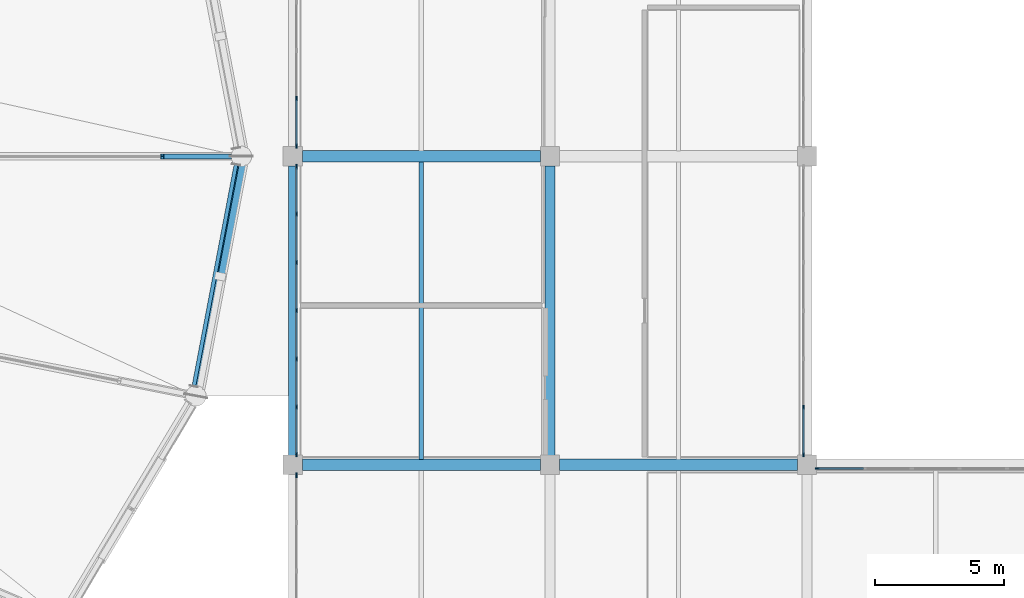
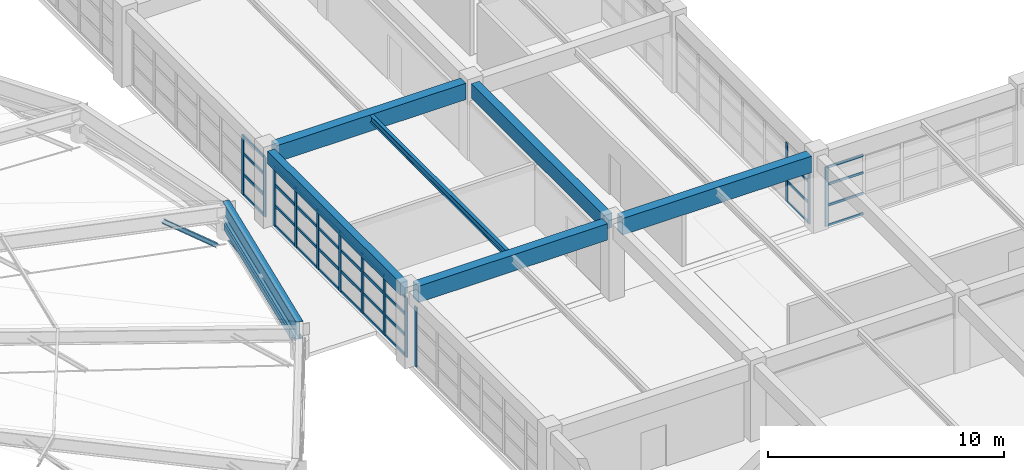
# One storey, part 28 of 83: 49 members, 9 beams, 5 elements without a shape of their own.
"""IFC4 building model written with IfcOpenShell, lengths in metres."""

from ifc_helpers import new_model, si_unit, direction, frame, origin, origin_2d, place, context, subcontext, project, spatial, rectangle, hollow_rectangle, i_section, extrude, material, layer, layer_set, material_profile, profile_set, type_object, element, aggregate, save


model = new_model("IFC4")

# Units and contexts
model_context = context("Model", 3, precision=1e-05, world=origin(), true_north=direction((0.0, 1.0)))
body_context = subcontext(model_context, "Body", "Model", "MODEL_VIEW")
ifc_project = project(units=[si_unit("LENGTHUNIT", "METRE"), si_unit("AREAUNIT", "SQUARE_METRE"), si_unit("VOLUMEUNIT", "CUBIC_METRE"), si_unit("PLANEANGLEUNIT", "RADIAN"), si_unit("MASSUNIT", "GRAM", prefix="KILO")], contexts=[model_context])

# Site, building, storey
site_placement = place(None, origin())
site = spatial("IfcSite", under=ifc_project, at=site_placement, CompositionType="ELEMENT")
building_placement = place(site_placement, origin())
building = spatial("IfcBuilding", under=site, at=building_placement, Name="Kivolera Central Railway Station", CompositionType="ELEMENT")
storey_placement = place(building_placement, frame((0.0, 0.0, 14.39990234375)))
storey = spatial("IfcBuildingStorey", under=building, at=storey_placement, Name="L03", CompositionType="ELEMENT", Elevation=14.39990234375)

# Beams
ifc_material_1 = material(Name="Steel S355", Category="steel")
ifc_material_profile_1 = material_profile(ifc_material_1, hollow_rectangle(XDim=0.14990234375, YDim=0.300048828125, WallThickness=0.012451171875, at=origin_2d()), Name="RHS 300x150x12.5")
ifc_profile_set_1 = profile_set([ifc_material_profile_1], Name="Steel S355")
beam_type_1 = type_object("IfcBeamType", Name="BM-ARCH-HOOD", PredefinedType="SPANDREL", material=ifc_profile_set_1)
beam_1_placement = place(storey_placement, frame((114.152099609375, 81.05908203125, 0.735107421875), z_axis=(0.186806482691, 0.982396731481, 0.0), x_axis=(-0.982396731481, 0.186806482691, 0.0)))
element("IfcBeam", 1, at=beam_1_placement, inside=storey, type_object=beam_type_1, Name="Lantern Spandrel Hood Beam 24", PredefinedType="SPANDREL", context=body_context, shape_type="SweptSolid", body=[
    extrude(hollow_rectangle(XDim=0.14990234375, YDim=0.300048828125, WallThickness=0.012451171875, at=origin_2d()), origin(), (0.0, 0.0, 1.0), 8.7734375),
])
ifc_material_profile_2 = material_profile(ifc_material_1, i_section(OverallWidth=0.169921875, OverallDepth=0.360107421875, WebThickness=0.008056640625, FlangeThickness=0.0126953125, FilletRadius=0.01806640625, at=origin_2d()), Name="IPE 360")
ifc_profile_set_2 = profile_set([ifc_material_profile_2], Name="Steel S355")
beam_type_2 = type_object("IfcBeamType", Name="BM-JST-IPE360", PredefinedType="JOIST", material=ifc_profile_set_2)
beam_2_placement = place(storey_placement, frame((123.0, 78.217041015625, 3.748046875), z_axis=(0.0, 1.0, 0.0), x_axis=(-1.0, 0.0, 0.0)))
element("IfcBeam", 2, at=beam_2_placement, inside=storey, type_object=beam_type_2, Name="L03 Floor Joist 12-13/G-H", PredefinedType="JOIST", context=body_context, shape_type="SweptSolid", body=[
    extrude(i_section(OverallWidth=0.169921875, OverallDepth=0.360107421875, WebThickness=0.008056640625, FlangeThickness=0.0126953125, FilletRadius=0.01806640625, at=origin_2d()), origin(), (0.0, 0.0, 1.0), 11.56591796875),
])
ifc_material_profile_3 = material_profile(ifc_material_1, i_section(OverallWidth=0.300048828125, OverallDepth=0.300048828125, WebThickness=0.010986328125, FlangeThickness=0.01904296875, FilletRadius=0.027099609375, at=origin_2d()), Name="HEB 300")
ifc_profile_set_3 = profile_set([ifc_material_profile_3], Name="Steel S355")
beam_type_3 = type_object("IfcBeamType", Name="BM-LANT-ARCH", PredefinedType="SPANDREL", material=ifc_profile_set_3)
beam_3_placement = place(storey_placement, frame((115.23193359375, 85.319091796875, 0.820068359375), z_axis=(0.184590819243, 0.970104713334, -0.157553402432), x_axis=(-0.982374105679, 0.186925430294, 0.0)))
element("IfcBeam", 3, at=beam_3_placement, inside=storey, type_object=beam_type_3, Name="Oval Lantern Structural Arch Rib 24.2", PredefinedType="SPANDREL", context=body_context, shape_type="SweptSolid", body=[
    extrude(i_section(OverallWidth=0.300048828125, OverallDepth=0.300048828125, WebThickness=0.010986328125, FlangeThickness=0.01904296875, FilletRadius=0.027099609375, at=origin_2d()), origin(), (0.0, 0.0, 1.0), 4.442626953125),
])
ifc_material_profile_4 = material_profile(ifc_material_1, i_section(OverallWidth=0.300048828125, OverallDepth=0.89990234375, WebThickness=0.0185546875, FlangeThickness=0.034912109375, FilletRadius=0.030029296875, at=origin_2d()), Name="HEB 900")
ifc_profile_set_4 = profile_set([ifc_material_profile_4], Name="Steel S355")
beam_type_4 = type_object("IfcBeamType", Name="BM-ORB-HEB900", PredefinedType="BEAM", material=ifc_profile_set_4)
beam_4_placement = place(storey_placement, frame((114.22802734375, 80.68310546875, 1.35009765625), z_axis=(0.186840028686, 0.982390351989, 0.0), x_axis=(-0.982390351989, 0.186840028686, 0.0)))
element("IfcBeam", 4, at=beam_4_placement, inside=storey, type_object=beam_type_4, Name="Oval Dome Compression Ring Beam ORB-24", PredefinedType="BEAM", context=body_context, shape_type="SweptSolid", body=[
    extrude(i_section(OverallWidth=0.300048828125, OverallDepth=0.89990234375, WebThickness=0.0185546875, FlangeThickness=0.034912109375, FilletRadius=0.030029296875, at=origin_2d()), origin(), (0.0, 0.0, 1.0), 9.48388671875),
])
ifc_material_2 = material(Name="Concrete C40/50", Category="concrete")
ifc_material_profile_5 = material_profile(ifc_material_2, rectangle(XDim=0.39990234375, YDim=0.75, at=origin_2d()), Name="RC 400x750")
ifc_profile_set_5 = profile_set([ifc_material_profile_5], Name="Concrete C40/50")
beam_type_5 = type_object("IfcBeamType", Name="BM-RC-400x750", PredefinedType="BEAM", material=ifc_profile_set_5)
beam_5_placement = place(storey_placement, frame((128.0, 78.366943359375, 3.565185546875), z_axis=(0.0, 1.0, 0.0), x_axis=(-1.0, 0.0, 0.0)))
element("IfcBeam", 5, at=beam_5_placement, inside=storey, type_object=beam_type_5, Name="L03 Wing Y-Beam 13:G-H", PredefinedType="BEAM", context=body_context, shape_type="SweptSolid", body=[
    extrude(rectangle(XDim=0.39990234375, YDim=0.75, at=origin_2d()), origin(), (0.0, 0.0, 1.0), 11.26611328125),
])
ifc_material_profile_6 = material_profile(ifc_material_2, rectangle(XDim=0.449951171875, YDim=0.85009765625, at=origin_2d()), Name="RC 450x850")
ifc_profile_set_6 = profile_set([ifc_material_profile_6], Name="Concrete C40/50")
beam_type_6 = type_object("IfcBeamType", Name="BM-RC-450x850", PredefinedType="BEAM", material=ifc_profile_set_6)
for number, where, z_axis, x_axis, name in (
    (6, (118.366943359375, 78.0, 3.51513671875), (1.0, 0.0, 0.0), (0.0, 1.0, 0.0), "L03 Wing X-Beam G:12-13"),
    (7, (128.366943359375, 78.0, 3.51513671875), (1.0, 0.0, 0.0), (0.0, 1.0, 0.0), "L03 Wing X-Beam G:13-14"),
    (8, (118.366943359375, 90.0, 3.51513671875), (1.0, 0.0, 0.0), (0.0, 1.0, 0.0), "L03 Wing X-Beam H:12-13"),
):
    element("IfcBeam", number, at=place(storey_placement, frame(where, z_axis=z_axis, x_axis=x_axis)), inside=storey, type_object=beam_type_6, Name=name, PredefinedType="BEAM", context=body_context, shape_type="SweptSolid", body=[
        extrude(rectangle(XDim=0.449951171875, YDim=0.85009765625, at=origin_2d()), origin(), (0.0, 0.0, 1.0), 9.26611328125),
    ])
ifc_material_profile_7 = material_profile(ifc_material_2, rectangle(XDim=0.35009765625, YDim=0.64990234375, at=origin_2d()), Name="RC 350x650")
ifc_profile_set_7 = profile_set([ifc_material_profile_7], Name="Concrete C40/50")
beam_type_7 = type_object("IfcBeamType", Name="BM-SPN-RC650", PredefinedType="SPANDREL", material=ifc_profile_set_7)
beam_6_placement = place(storey_placement, frame((118.0, 78.366943359375, 3.614990234375), z_axis=(0.0, 1.0, 0.0), x_axis=(-1.0, 0.0, 0.0)))
element("IfcBeam", 9, at=beam_6_placement, inside=storey, type_object=beam_type_7, Name="L03 Wing Y-Beam 12:G-H", PredefinedType="SPANDREL", context=body_context, shape_type="SweptSolid", body=[
    extrude(rectangle(XDim=0.35009765625, YDim=0.64990234375, at=origin_2d()), origin(), (0.0, 0.0, 1.0), 11.26611328125),
])

# Curtain wall, member
ifc_material_3 = material(Name="Anodised aluminium", Category="aluminium")
ifc_layer_1 = layer(ifc_material_3, 0.179931640625, Name="Anodised aluminium")
ifc_layer_set_1 = layer_set([ifc_layer_1], Name="Anodised aluminium")
curtain_wall_type_1 = type_object("IfcCurtainWallType", Name="CW-SYS-30", PredefinedType="NOTDEFINED", material=ifc_layer_set_1)
curtain_wall_1_placement = place(storey_placement, origin())
curtain_wall_1 = element("IfcCurtainWall", 10, at=curtain_wall_1_placement, inside=storey, type_object=curtain_wall_type_1, Name="L03 Curtain Wall CW-L03-WEST-F", PredefinedType="NOTDEFINED")
ifc_material_profile_8 = material_profile(ifc_material_3, rectangle(XDim=0.070068359375, YDim=0.179931640625, at=origin_2d()), Name="ALU MULL 70x180")
ifc_profile_set_8 = profile_set([ifc_material_profile_8], Name="Anodised aluminium")
member_type_1 = type_object("IfcMemberType", Name="CWM-MUL-1", PredefinedType="MULLION", material=ifc_profile_set_8)
member_1_placement = place(storey_placement, frame((118.14501953125, 77.594970703125, -0.0048828125), z_axis=(0.0, 0.0, 1.0), x_axis=(-1.0, 0.0, 0.0)))
member_1 = element("IfcMember", 11, at=member_1_placement, type_object=member_type_1, Name="CW-30 mullion 7", PredefinedType="MULLION", context=body_context, shape_type="SweptSolid", body=[
    extrude(rectangle(XDim=0.070068359375, YDim=0.179931640625, at=origin_2d()), origin(), (0.0, 0.0, 1.0), 3.0830078125),
])
aggregate(curtain_wall_1, [member_1])

# Curtain wall, members
curtain_wall_2_placement = place(storey_placement, origin())
curtain_wall_2 = element("IfcCurtainWall", 12, at=curtain_wall_2_placement, inside=storey, type_object=curtain_wall_type_1, Name="L03 Curtain Wall CW-L03-WEST-G", PredefinedType="NOTDEFINED")
member_2_placement = place(storey_placement, frame((118.14501953125, 78.405029296875, -0.0048828125), z_axis=(0.0, 0.0, 1.0), x_axis=(-1.0, 0.0, 0.0)))
member_2 = element("IfcMember", 13, at=member_2_placement, type_object=member_type_1, Name="CW-30 mullion 1", PredefinedType="MULLION", context=body_context, shape_type="SweptSolid", body=[
    extrude(rectangle(XDim=0.070068359375, YDim=0.179931640625, at=origin_2d()), origin(), (0.0, 0.0, 1.0), 3.0830078125),
])
member_3_placement = place(storey_placement, frame((118.14501953125, 80.24658203125, -0.0048828125), z_axis=(0.0, 0.0, 1.0), x_axis=(-1.0, 0.0, 0.0)))
member_3 = element("IfcMember", 14, at=member_3_placement, type_object=member_type_1, Name="CW-30 mullion 2", PredefinedType="MULLION", context=body_context, shape_type="SweptSolid", body=[
    extrude(rectangle(XDim=0.070068359375, YDim=0.179931640625, at=origin_2d()), origin(), (0.0, 0.0, 1.0), 3.0830078125),
])
member_4_placement = place(storey_placement, frame((118.14501953125, 82.123291015625, -0.0048828125), z_axis=(0.0, 0.0, 1.0), x_axis=(-1.0, 0.0, 0.0)))
member_4 = element("IfcMember", 15, at=member_4_placement, type_object=member_type_1, Name="CW-30 mullion 3", PredefinedType="MULLION", context=body_context, shape_type="SweptSolid", body=[
    extrude(rectangle(XDim=0.070068359375, YDim=0.179931640625, at=origin_2d()), origin(), (0.0, 0.0, 1.0), 3.0830078125),
])
member_5_placement = place(storey_placement, frame((118.14501953125, 84.0, -0.0048828125), z_axis=(0.0, 0.0, 1.0), x_axis=(-1.0, 0.0, 0.0)))
member_5 = element("IfcMember", 16, at=member_5_placement, type_object=member_type_1, Name="CW-30 mullion 4", PredefinedType="MULLION", context=body_context, shape_type="SweptSolid", body=[
    extrude(rectangle(XDim=0.070068359375, YDim=0.179931640625, at=origin_2d()), origin(), (0.0, 0.0, 1.0), 3.0830078125),
])
member_6_placement = place(storey_placement, frame((118.14501953125, 85.876708984375, -0.0048828125), z_axis=(0.0, 0.0, 1.0), x_axis=(-1.0, 0.0, 0.0)))
member_6 = element("IfcMember", 17, at=member_6_placement, type_object=member_type_1, Name="CW-30 mullion 5", PredefinedType="MULLION", context=body_context, shape_type="SweptSolid", body=[
    extrude(rectangle(XDim=0.070068359375, YDim=0.179931640625, at=origin_2d()), origin(), (0.0, 0.0, 1.0), 3.0830078125),
])
member_7_placement = place(storey_placement, frame((118.14501953125, 87.75341796875, -0.0048828125), z_axis=(0.0, 0.0, 1.0), x_axis=(-1.0, 0.0, 0.0)))
member_7 = element("IfcMember", 18, at=member_7_placement, type_object=member_type_1, Name="CW-30 mullion 6", PredefinedType="MULLION", context=body_context, shape_type="SweptSolid", body=[
    extrude(rectangle(XDim=0.070068359375, YDim=0.179931640625, at=origin_2d()), origin(), (0.0, 0.0, 1.0), 3.0830078125),
])
member_8_placement = place(storey_placement, frame((118.14501953125, 89.594970703125, -0.0048828125), z_axis=(0.0, 0.0, 1.0), x_axis=(-1.0, 0.0, 0.0)))
member_8 = element("IfcMember", 19, at=member_8_placement, type_object=member_type_1, Name="CW-30 mullion 7", PredefinedType="MULLION", context=body_context, shape_type="SweptSolid", body=[
    extrude(rectangle(XDim=0.070068359375, YDim=0.179931640625, at=origin_2d()), origin(), (0.0, 0.0, 1.0), 3.0830078125),
])

curtain_wall_3_placement = place(storey_placement, origin())
curtain_wall_3 = element("IfcCurtainWall", 20, at=curtain_wall_3_placement, inside=storey, type_object=curtain_wall_type_1, Name="L03 Curtain Wall CW-L03-WEST-H", PredefinedType="NOTDEFINED")
member_9_placement = place(storey_placement, frame((118.14501953125, 90.405029296875, -0.0048828125), z_axis=(0.0, 0.0, 1.0), x_axis=(-1.0, 0.0, 0.0)))
member_9 = element("IfcMember", 21, at=member_9_placement, type_object=member_type_1, Name="CW-30 mullion 1", PredefinedType="MULLION", context=body_context, shape_type="SweptSolid", body=[
    extrude(rectangle(XDim=0.070068359375, YDim=0.179931640625, at=origin_2d()), origin(), (0.0, 0.0, 1.0), 3.0830078125),
])
member_10_placement = place(storey_placement, frame((118.14501953125, 92.24658203125, -0.0048828125), z_axis=(0.0, 0.0, 1.0), x_axis=(-1.0, 0.0, 0.0)))
member_10 = element("IfcMember", 22, at=member_10_placement, type_object=member_type_1, Name="CW-30 mullion 2", PredefinedType="MULLION", context=body_context, shape_type="SweptSolid", body=[
    extrude(rectangle(XDim=0.070068359375, YDim=0.179931640625, at=origin_2d()), origin(), (0.0, 0.0, 1.0), 3.0830078125),
])

curtain_wall_4_placement = place(storey_placement, origin())
curtain_wall_4 = element("IfcCurtainWall", 23, at=curtain_wall_4_placement, inside=storey, type_object=curtain_wall_type_1, Name="L03 Curtain Wall CW-L03-CRTW-G", PredefinedType="NOTDEFINED")
ifc_material_profile_9 = material_profile(ifc_material_3, rectangle(XDim=0.06005859375, YDim=0.14990234375, at=origin_2d()), Name="ALU MULL 60x150")
ifc_profile_set_9 = profile_set([ifc_material_profile_9], Name="Anodised aluminium")
member_type_2 = type_object("IfcMemberType", Name="CWM-MUL-2", PredefinedType="MULLION", material=ifc_profile_set_9)
member_11_placement = place(storey_placement, frame((137.85498046875, 80.24658203125, -0.0048828125), z_axis=(0.0, 0.0, 1.0), x_axis=(1.0, 0.0, 0.0)))
member_11 = element("IfcMember", 24, at=member_11_placement, type_object=member_type_2, Name="CW-30 mullion 6", PredefinedType="MULLION", context=body_context, shape_type="SweptSolid", body=[
    extrude(rectangle(XDim=0.06005859375, YDim=0.14990234375, at=origin_2d()), origin(), (0.0, 0.0, 1.0), 3.0830078125),
])
member_12_placement = place(storey_placement, frame((137.85498046875, 78.39990234375, -0.0048828125), z_axis=(0.0, 0.0, 1.0), x_axis=(1.0, 0.0, 0.0)))
member_12 = element("IfcMember", 25, at=member_12_placement, type_object=member_type_2, Name="CW-30 mullion 7", PredefinedType="MULLION", context=body_context, shape_type="SweptSolid", body=[
    extrude(rectangle(XDim=0.06005859375, YDim=0.14990234375, at=origin_2d()), origin(), (0.0, 0.0, 1.0), 3.0830078125),
])

# Curtain wall, member
ifc_layer_2 = layer(ifc_material_3, 0.179931640625, Name="Anodised aluminium")
ifc_layer_set_2 = layer_set([ifc_layer_2], Name="Anodised aluminium")
curtain_wall_type_2 = type_object("IfcCurtainWallType", Name="CW-SYS-29", PredefinedType="NOTDEFINED", material=ifc_layer_set_2)
curtain_wall_5_placement = place(storey_placement, origin())
curtain_wall_5 = element("IfcCurtainWall", 26, at=curtain_wall_5_placement, inside=storey, type_object=curtain_wall_type_2, Name="L03 Curtain Wall CW-L03-CRTS-138", PredefinedType="NOTDEFINED")
member_13_placement = place(storey_placement, frame((138.39990234375, 77.85498046875, -0.0048828125), z_axis=(0.0, 0.0, 1.0), x_axis=(0.0, 1.0, 0.0)))
member_13 = element("IfcMember", 27, at=member_13_placement, type_object=member_type_2, Name="CW-29 mullion 1", PredefinedType="MULLION", context=body_context, shape_type="SweptSolid", body=[
    extrude(rectangle(XDim=0.06005859375, YDim=0.14990234375, at=origin_2d()), origin(), (0.0, 0.0, 1.0), 3.0830078125),
])

# Member
ifc_material_profile_10 = material_profile(ifc_material_3, rectangle(XDim=0.070068359375, YDim=0.139892578125, at=origin_2d()), Name="ALU TRAN 70x140")
ifc_profile_set_10 = profile_set([ifc_material_profile_10], Name="Anodised aluminium")
member_type_3 = type_object("IfcMemberType", Name="CWM-TRN-1", PredefinedType="USERDEFINED", material=ifc_profile_set_10)
member_14_placement = place(storey_placement, frame((118.14501953125, 78.43994140625, 0.03515625), z_axis=(0.0, 1.0, 0.0), x_axis=(-1.0, 0.0, 0.0)))
member_14 = element("IfcMember", 28, at=member_14_placement, type_object=member_type_3, Name="CW-30 transom 1.1", ObjectType="TRANSOM", PredefinedType="USERDEFINED", context=body_context, shape_type="SweptSolid", body=[
    extrude(rectangle(XDim=0.070068359375, YDim=0.139892578125, at=origin_2d()), origin(), (0.0, 0.0, 1.0), 1.771728515625),
])

member_15_placement = place(storey_placement, frame((118.14501953125, 78.43994140625, 1.077392578125), z_axis=(0.0, 1.0, 0.0), x_axis=(-1.0, 0.0, 0.0)))
member_15 = element("IfcMember", 29, at=member_15_placement, type_object=member_type_3, Name="CW-30 transom 1.2", ObjectType="TRANSOM", PredefinedType="USERDEFINED", context=body_context, shape_type="SweptSolid", body=[
    extrude(rectangle(XDim=0.070068359375, YDim=0.139892578125, at=origin_2d()), origin(), (0.0, 0.0, 1.0), 1.771728515625),
])

member_16_placement = place(storey_placement, frame((118.14501953125, 78.43994140625, 2.15478515625), z_axis=(0.0, 1.0, 0.0), x_axis=(-1.0, 0.0, 0.0)))
member_16 = element("IfcMember", 30, at=member_16_placement, type_object=member_type_3, Name="CW-30 transom 1.3", ObjectType="TRANSOM", PredefinedType="USERDEFINED", context=body_context, shape_type="SweptSolid", body=[
    extrude(rectangle(XDim=0.070068359375, YDim=0.139892578125, at=origin_2d()), origin(), (0.0, 0.0, 1.0), 1.771728515625),
])

member_17_placement = place(storey_placement, frame((118.14501953125, 78.43994140625, 3.043212890625), z_axis=(0.0, 1.0, 0.0), x_axis=(-1.0, 0.0, 0.0)))
member_17 = element("IfcMember", 31, at=member_17_placement, type_object=member_type_3, Name="CW-30 transom 1.4", ObjectType="TRANSOM", PredefinedType="USERDEFINED", context=body_context, shape_type="SweptSolid", body=[
    extrude(rectangle(XDim=0.070068359375, YDim=0.139892578125, at=origin_2d()), origin(), (0.0, 0.0, 1.0), 1.771728515625),
])

member_18_placement = place(storey_placement, frame((118.14501953125, 80.28173828125, 0.03515625), z_axis=(0.0, 1.0, 0.0), x_axis=(-1.0, 0.0, 0.0)))
member_18 = element("IfcMember", 32, at=member_18_placement, type_object=member_type_3, Name="CW-30 transom 2.1", ObjectType="TRANSOM", PredefinedType="USERDEFINED", context=body_context, shape_type="SweptSolid", body=[
    extrude(rectangle(XDim=0.070068359375, YDim=0.139892578125, at=origin_2d()), origin(), (0.0, 0.0, 1.0), 1.806640625),
])

member_19_placement = place(storey_placement, frame((118.14501953125, 80.28173828125, 1.077392578125), z_axis=(0.0, 1.0, 0.0), x_axis=(-1.0, 0.0, 0.0)))
member_19 = element("IfcMember", 33, at=member_19_placement, type_object=member_type_3, Name="CW-30 transom 2.2", ObjectType="TRANSOM", PredefinedType="USERDEFINED", context=body_context, shape_type="SweptSolid", body=[
    extrude(rectangle(XDim=0.070068359375, YDim=0.139892578125, at=origin_2d()), origin(), (0.0, 0.0, 1.0), 1.806640625),
])

member_20_placement = place(storey_placement, frame((118.14501953125, 80.28173828125, 2.15478515625), z_axis=(0.0, 1.0, 0.0), x_axis=(-1.0, 0.0, 0.0)))
member_20 = element("IfcMember", 34, at=member_20_placement, type_object=member_type_3, Name="CW-30 transom 2.3", ObjectType="TRANSOM", PredefinedType="USERDEFINED", context=body_context, shape_type="SweptSolid", body=[
    extrude(rectangle(XDim=0.070068359375, YDim=0.139892578125, at=origin_2d()), origin(), (0.0, 0.0, 1.0), 1.806640625),
])

member_21_placement = place(storey_placement, frame((118.14501953125, 80.28173828125, 3.043212890625), z_axis=(0.0, 1.0, 0.0), x_axis=(-1.0, 0.0, 0.0)))
member_21 = element("IfcMember", 35, at=member_21_placement, type_object=member_type_3, Name="CW-30 transom 2.4", ObjectType="TRANSOM", PredefinedType="USERDEFINED", context=body_context, shape_type="SweptSolid", body=[
    extrude(rectangle(XDim=0.070068359375, YDim=0.139892578125, at=origin_2d()), origin(), (0.0, 0.0, 1.0), 1.806640625),
])

member_22_placement = place(storey_placement, frame((118.14501953125, 82.158447265625, 0.03515625), z_axis=(0.0, 1.0, 0.0), x_axis=(-1.0, 0.0, 0.0)))
member_22 = element("IfcMember", 36, at=member_22_placement, type_object=member_type_3, Name="CW-30 transom 3.1", ObjectType="TRANSOM", PredefinedType="USERDEFINED", context=body_context, shape_type="SweptSolid", body=[
    extrude(rectangle(XDim=0.070068359375, YDim=0.139892578125, at=origin_2d()), origin(), (0.0, 0.0, 1.0), 1.806640625),
])

member_23_placement = place(storey_placement, frame((118.14501953125, 82.158447265625, 1.077392578125), z_axis=(0.0, 1.0, 0.0), x_axis=(-1.0, 0.0, 0.0)))
member_23 = element("IfcMember", 37, at=member_23_placement, type_object=member_type_3, Name="CW-30 transom 3.2", ObjectType="TRANSOM", PredefinedType="USERDEFINED", context=body_context, shape_type="SweptSolid", body=[
    extrude(rectangle(XDim=0.070068359375, YDim=0.139892578125, at=origin_2d()), origin(), (0.0, 0.0, 1.0), 1.806640625),
])

member_24_placement = place(storey_placement, frame((118.14501953125, 82.158447265625, 2.15478515625), z_axis=(0.0, 1.0, 0.0), x_axis=(-1.0, 0.0, 0.0)))
member_24 = element("IfcMember", 38, at=member_24_placement, type_object=member_type_3, Name="CW-30 transom 3.3", ObjectType="TRANSOM", PredefinedType="USERDEFINED", context=body_context, shape_type="SweptSolid", body=[
    extrude(rectangle(XDim=0.070068359375, YDim=0.139892578125, at=origin_2d()), origin(), (0.0, 0.0, 1.0), 1.806640625),
])

member_25_placement = place(storey_placement, frame((118.14501953125, 82.158447265625, 3.043212890625), z_axis=(0.0, 1.0, 0.0), x_axis=(-1.0, 0.0, 0.0)))
member_25 = element("IfcMember", 39, at=member_25_placement, type_object=member_type_3, Name="CW-30 transom 3.4", ObjectType="TRANSOM", PredefinedType="USERDEFINED", context=body_context, shape_type="SweptSolid", body=[
    extrude(rectangle(XDim=0.070068359375, YDim=0.139892578125, at=origin_2d()), origin(), (0.0, 0.0, 1.0), 1.806640625),
])

member_26_placement = place(storey_placement, frame((118.14501953125, 84.034912109375, 0.03515625), z_axis=(0.0, 1.0, 0.0), x_axis=(-1.0, 0.0, 0.0)))
member_26 = element("IfcMember", 40, at=member_26_placement, type_object=member_type_3, Name="CW-30 transom 4.1", ObjectType="TRANSOM", PredefinedType="USERDEFINED", context=body_context, shape_type="SweptSolid", body=[
    extrude(rectangle(XDim=0.070068359375, YDim=0.139892578125, at=origin_2d()), origin(), (0.0, 0.0, 1.0), 1.806640625),
])

member_27_placement = place(storey_placement, frame((118.14501953125, 84.034912109375, 1.077392578125), z_axis=(0.0, 1.0, 0.0), x_axis=(-1.0, 0.0, 0.0)))
member_27 = element("IfcMember", 41, at=member_27_placement, type_object=member_type_3, Name="CW-30 transom 4.2", ObjectType="TRANSOM", PredefinedType="USERDEFINED", context=body_context, shape_type="SweptSolid", body=[
    extrude(rectangle(XDim=0.070068359375, YDim=0.139892578125, at=origin_2d()), origin(), (0.0, 0.0, 1.0), 1.806640625),
])

member_28_placement = place(storey_placement, frame((118.14501953125, 84.034912109375, 2.15478515625), z_axis=(0.0, 1.0, 0.0), x_axis=(-1.0, 0.0, 0.0)))
member_28 = element("IfcMember", 42, at=member_28_placement, type_object=member_type_3, Name="CW-30 transom 4.3", ObjectType="TRANSOM", PredefinedType="USERDEFINED", context=body_context, shape_type="SweptSolid", body=[
    extrude(rectangle(XDim=0.070068359375, YDim=0.139892578125, at=origin_2d()), origin(), (0.0, 0.0, 1.0), 1.806640625),
])

member_29_placement = place(storey_placement, frame((118.14501953125, 84.034912109375, 3.043212890625), z_axis=(0.0, 1.0, 0.0), x_axis=(-1.0, 0.0, 0.0)))
member_29 = element("IfcMember", 43, at=member_29_placement, type_object=member_type_3, Name="CW-30 transom 4.4", ObjectType="TRANSOM", PredefinedType="USERDEFINED", context=body_context, shape_type="SweptSolid", body=[
    extrude(rectangle(XDim=0.070068359375, YDim=0.139892578125, at=origin_2d()), origin(), (0.0, 0.0, 1.0), 1.806640625),
])

member_30_placement = place(storey_placement, frame((118.14501953125, 85.91162109375, 0.03515625), z_axis=(0.0, 1.0, 0.0), x_axis=(-1.0, 0.0, 0.0)))
member_30 = element("IfcMember", 44, at=member_30_placement, type_object=member_type_3, Name="CW-30 transom 5.1", ObjectType="TRANSOM", PredefinedType="USERDEFINED", context=body_context, shape_type="SweptSolid", body=[
    extrude(rectangle(XDim=0.070068359375, YDim=0.139892578125, at=origin_2d()), origin(), (0.0, 0.0, 1.0), 1.806640625),
])

member_31_placement = place(storey_placement, frame((118.14501953125, 85.91162109375, 1.077392578125), z_axis=(0.0, 1.0, 0.0), x_axis=(-1.0, 0.0, 0.0)))
member_31 = element("IfcMember", 45, at=member_31_placement, type_object=member_type_3, Name="CW-30 transom 5.2", ObjectType="TRANSOM", PredefinedType="USERDEFINED", context=body_context, shape_type="SweptSolid", body=[
    extrude(rectangle(XDim=0.070068359375, YDim=0.139892578125, at=origin_2d()), origin(), (0.0, 0.0, 1.0), 1.806640625),
])

member_32_placement = place(storey_placement, frame((118.14501953125, 85.91162109375, 2.15478515625), z_axis=(0.0, 1.0, 0.0), x_axis=(-1.0, 0.0, 0.0)))
member_32 = element("IfcMember", 46, at=member_32_placement, type_object=member_type_3, Name="CW-30 transom 5.3", ObjectType="TRANSOM", PredefinedType="USERDEFINED", context=body_context, shape_type="SweptSolid", body=[
    extrude(rectangle(XDim=0.070068359375, YDim=0.139892578125, at=origin_2d()), origin(), (0.0, 0.0, 1.0), 1.806640625),
])

member_33_placement = place(storey_placement, frame((118.14501953125, 85.91162109375, 3.043212890625), z_axis=(0.0, 1.0, 0.0), x_axis=(-1.0, 0.0, 0.0)))
member_33 = element("IfcMember", 47, at=member_33_placement, type_object=member_type_3, Name="CW-30 transom 5.4", ObjectType="TRANSOM", PredefinedType="USERDEFINED", context=body_context, shape_type="SweptSolid", body=[
    extrude(rectangle(XDim=0.070068359375, YDim=0.139892578125, at=origin_2d()), origin(), (0.0, 0.0, 1.0), 1.806640625),
])

member_34_placement = place(storey_placement, frame((118.14501953125, 87.788330078125, 0.03515625), z_axis=(0.0, 1.0, 0.0), x_axis=(-1.0, 0.0, 0.0)))
member_34 = element("IfcMember", 48, at=member_34_placement, type_object=member_type_3, Name="CW-30 transom 6.1", ObjectType="TRANSOM", PredefinedType="USERDEFINED", context=body_context, shape_type="SweptSolid", body=[
    extrude(rectangle(XDim=0.070068359375, YDim=0.139892578125, at=origin_2d()), origin(), (0.0, 0.0, 1.0), 1.771728515625),
])

member_35_placement = place(storey_placement, frame((118.14501953125, 87.788330078125, 1.077392578125), z_axis=(0.0, 1.0, 0.0), x_axis=(-1.0, 0.0, 0.0)))
member_35 = element("IfcMember", 49, at=member_35_placement, type_object=member_type_3, Name="CW-30 transom 6.2", ObjectType="TRANSOM", PredefinedType="USERDEFINED", context=body_context, shape_type="SweptSolid", body=[
    extrude(rectangle(XDim=0.070068359375, YDim=0.139892578125, at=origin_2d()), origin(), (0.0, 0.0, 1.0), 1.771728515625),
])

member_36_placement = place(storey_placement, frame((118.14501953125, 87.788330078125, 2.15478515625), z_axis=(0.0, 1.0, 0.0), x_axis=(-1.0, 0.0, 0.0)))
member_36 = element("IfcMember", 50, at=member_36_placement, type_object=member_type_3, Name="CW-30 transom 6.3", ObjectType="TRANSOM", PredefinedType="USERDEFINED", context=body_context, shape_type="SweptSolid", body=[
    extrude(rectangle(XDim=0.070068359375, YDim=0.139892578125, at=origin_2d()), origin(), (0.0, 0.0, 1.0), 1.771728515625),
])

member_37_placement = place(storey_placement, frame((118.14501953125, 87.788330078125, 3.043212890625), z_axis=(0.0, 1.0, 0.0), x_axis=(-1.0, 0.0, 0.0)))
member_37 = element("IfcMember", 51, at=member_37_placement, type_object=member_type_3, Name="CW-30 transom 6.4", ObjectType="TRANSOM", PredefinedType="USERDEFINED", context=body_context, shape_type="SweptSolid", body=[
    extrude(rectangle(XDim=0.070068359375, YDim=0.139892578125, at=origin_2d()), origin(), (0.0, 0.0, 1.0), 1.771728515625),
])

aggregate(curtain_wall_2, [member_2, member_3, member_4, member_5, member_6, member_7, member_8, member_14, member_15, member_16, member_17, member_18, member_19, member_20, member_21, member_22, member_23, member_24, member_25, member_26, member_27, member_28, member_29, member_30, member_31, member_32, member_33, member_34, member_35, member_36, member_37])

member_38_placement = place(storey_placement, frame((118.14501953125, 90.43994140625, 0.03515625), z_axis=(0.0, 1.0, 0.0), x_axis=(-1.0, 0.0, 0.0)))
member_38 = element("IfcMember", 52, at=member_38_placement, type_object=member_type_3, Name="CW-30 transom 1.1", ObjectType="TRANSOM", PredefinedType="USERDEFINED", context=body_context, shape_type="SweptSolid", body=[
    extrude(rectangle(XDim=0.070068359375, YDim=0.139892578125, at=origin_2d()), origin(), (0.0, 0.0, 1.0), 1.771728515625),
])

member_39_placement = place(storey_placement, frame((118.14501953125, 90.43994140625, 1.077392578125), z_axis=(0.0, 1.0, 0.0), x_axis=(-1.0, 0.0, 0.0)))
member_39 = element("IfcMember", 53, at=member_39_placement, type_object=member_type_3, Name="CW-30 transom 1.2", ObjectType="TRANSOM", PredefinedType="USERDEFINED", context=body_context, shape_type="SweptSolid", body=[
    extrude(rectangle(XDim=0.070068359375, YDim=0.139892578125, at=origin_2d()), origin(), (0.0, 0.0, 1.0), 1.771728515625),
])

member_40_placement = place(storey_placement, frame((118.14501953125, 90.43994140625, 2.15478515625), z_axis=(0.0, 1.0, 0.0), x_axis=(-1.0, 0.0, 0.0)))
member_40 = element("IfcMember", 54, at=member_40_placement, type_object=member_type_3, Name="CW-30 transom 1.3", ObjectType="TRANSOM", PredefinedType="USERDEFINED", context=body_context, shape_type="SweptSolid", body=[
    extrude(rectangle(XDim=0.070068359375, YDim=0.139892578125, at=origin_2d()), origin(), (0.0, 0.0, 1.0), 1.771728515625),
])

member_41_placement = place(storey_placement, frame((118.14501953125, 90.43994140625, 3.043212890625), z_axis=(0.0, 1.0, 0.0), x_axis=(-1.0, 0.0, 0.0)))
member_41 = element("IfcMember", 55, at=member_41_placement, type_object=member_type_3, Name="CW-30 transom 1.4", ObjectType="TRANSOM", PredefinedType="USERDEFINED", context=body_context, shape_type="SweptSolid", body=[
    extrude(rectangle(XDim=0.070068359375, YDim=0.139892578125, at=origin_2d()), origin(), (0.0, 0.0, 1.0), 1.771728515625),
])

aggregate(curtain_wall_3, [member_9, member_10, member_38, member_39, member_40, member_41])

ifc_material_profile_11 = material_profile(ifc_material_3, rectangle(XDim=0.06005859375, YDim=0.1201171875, at=origin_2d()), Name="ALU TRAN 60x120")
ifc_profile_set_11 = profile_set([ifc_material_profile_11], Name="Anodised aluminium")
member_type_4 = type_object("IfcMemberType", Name="CWM-TRN-2", PredefinedType="USERDEFINED", material=ifc_profile_set_11)
member_42_placement = place(storey_placement, frame((137.85498046875, 80.216552734375, 0.030029296875), z_axis=(0.0, -1.0, 0.0), x_axis=(1.0, 0.0, 0.0)))
member_42 = element("IfcMember", 56, at=member_42_placement, type_object=member_type_4, Name="CW-30 transom 6.1", ObjectType="TRANSOM", PredefinedType="USERDEFINED", context=body_context, shape_type="SweptSolid", body=[
    extrude(rectangle(XDim=0.06005859375, YDim=0.1201171875, at=origin_2d()), origin(), (0.0, 0.0, 1.0), 1.78662109375),
])

member_43_placement = place(storey_placement, frame((137.85498046875, 80.216552734375, 1.077392578125), z_axis=(0.0, -1.0, 0.0), x_axis=(1.0, 0.0, 0.0)))
member_43 = element("IfcMember", 57, at=member_43_placement, type_object=member_type_4, Name="CW-30 transom 6.2", ObjectType="TRANSOM", PredefinedType="USERDEFINED", context=body_context, shape_type="SweptSolid", body=[
    extrude(rectangle(XDim=0.06005859375, YDim=0.1201171875, at=origin_2d()), origin(), (0.0, 0.0, 1.0), 1.78662109375),
])

member_44_placement = place(storey_placement, frame((137.85498046875, 80.216552734375, 2.15478515625), z_axis=(0.0, -1.0, 0.0), x_axis=(1.0, 0.0, 0.0)))
member_44 = element("IfcMember", 58, at=member_44_placement, type_object=member_type_4, Name="CW-30 transom 6.3", ObjectType="TRANSOM", PredefinedType="USERDEFINED", context=body_context, shape_type="SweptSolid", body=[
    extrude(rectangle(XDim=0.06005859375, YDim=0.1201171875, at=origin_2d()), origin(), (0.0, 0.0, 1.0), 1.78662109375),
])

aggregate(curtain_wall_4, [member_11, member_12, member_42, member_43, member_44])

member_45_placement = place(storey_placement, frame((138.429931640625, 77.85498046875, 0.030029296875), z_axis=(1.0, 0.0, 0.0), x_axis=(0.0, 1.0, 0.0)))
member_45 = element("IfcMember", 59, at=member_45_placement, type_object=member_type_4, Name="CW-29 transom 1.1", ObjectType="TRANSOM", PredefinedType="USERDEFINED", context=body_context, shape_type="SweptSolid", body=[
    extrude(rectangle(XDim=0.06005859375, YDim=0.1201171875, at=origin_2d()), origin(), (0.0, 0.0, 1.0), 1.761962890625),
])

member_46_placement = place(storey_placement, frame((138.429931640625, 77.85498046875, 1.077392578125), z_axis=(1.0, 0.0, 0.0), x_axis=(0.0, 1.0, 0.0)))
member_46 = element("IfcMember", 60, at=member_46_placement, type_object=member_type_4, Name="CW-29 transom 1.2", ObjectType="TRANSOM", PredefinedType="USERDEFINED", context=body_context, shape_type="SweptSolid", body=[
    extrude(rectangle(XDim=0.06005859375, YDim=0.1201171875, at=origin_2d()), origin(), (0.0, 0.0, 1.0), 1.761962890625),
])

member_47_placement = place(storey_placement, frame((138.429931640625, 77.85498046875, 2.15478515625), z_axis=(1.0, 0.0, 0.0), x_axis=(0.0, 1.0, 0.0)))
member_47 = element("IfcMember", 61, at=member_47_placement, type_object=member_type_4, Name="CW-29 transom 1.3", ObjectType="TRANSOM", PredefinedType="USERDEFINED", context=body_context, shape_type="SweptSolid", body=[
    extrude(rectangle(XDim=0.06005859375, YDim=0.1201171875, at=origin_2d()), origin(), (0.0, 0.0, 1.0), 1.761962890625),
])

member_48_placement = place(storey_placement, frame((138.429931640625, 77.85498046875, 3.048095703125), z_axis=(1.0, 0.0, 0.0), x_axis=(0.0, 1.0, 0.0)))
member_48 = element("IfcMember", 62, at=member_48_placement, type_object=member_type_4, Name="CW-29 transom 1.4", ObjectType="TRANSOM", PredefinedType="USERDEFINED", context=body_context, shape_type="SweptSolid", body=[
    extrude(rectangle(XDim=0.06005859375, YDim=0.1201171875, at=origin_2d()), origin(), (0.0, 0.0, 1.0), 1.761962890625),
])

aggregate(curtain_wall_5, [member_13, member_45, member_46, member_47, member_48])

ifc_material_profile_12 = material_profile(ifc_material_1, i_section(OverallWidth=0.199951171875, OverallDepth=0.199951171875, WebThickness=0.009033203125, FlangeThickness=0.014892578125, FilletRadius=0.01806640625, at=origin_2d()), Name="HEB 200")
ifc_profile_set_12 = profile_set([ifc_material_profile_12], Name="Steel S355")
member_type_5 = type_object("IfcMemberType", Name="MEM-RAF-HEB200", PredefinedType="RAFTER", material=ifc_profile_set_12)
member_49_placement = place(storey_placement, frame((115.56005859375, 90.0, -0.364990234375), z_axis=(-0.769782699796, 0.0, 0.638306035609), x_axis=(0.0, -1.0, 0.0)))
element("IfcMember", 63, at=member_49_placement, inside=storey, type_object=member_type_5, Name="Dome Radial Truss Raking Web DWEB1-01.1", PredefinedType="RAFTER", context=body_context, shape_type="SweptSolid", body=[
    extrude(i_section(OverallWidth=0.199951171875, OverallDepth=0.199951171875, WebThickness=0.009033203125, FlangeThickness=0.014892578125, FilletRadius=0.01806640625, at=origin_2d()), origin(), (0.0, 0.0, 1.0), 3.4296875),
])

save(model, "model.ifc")
